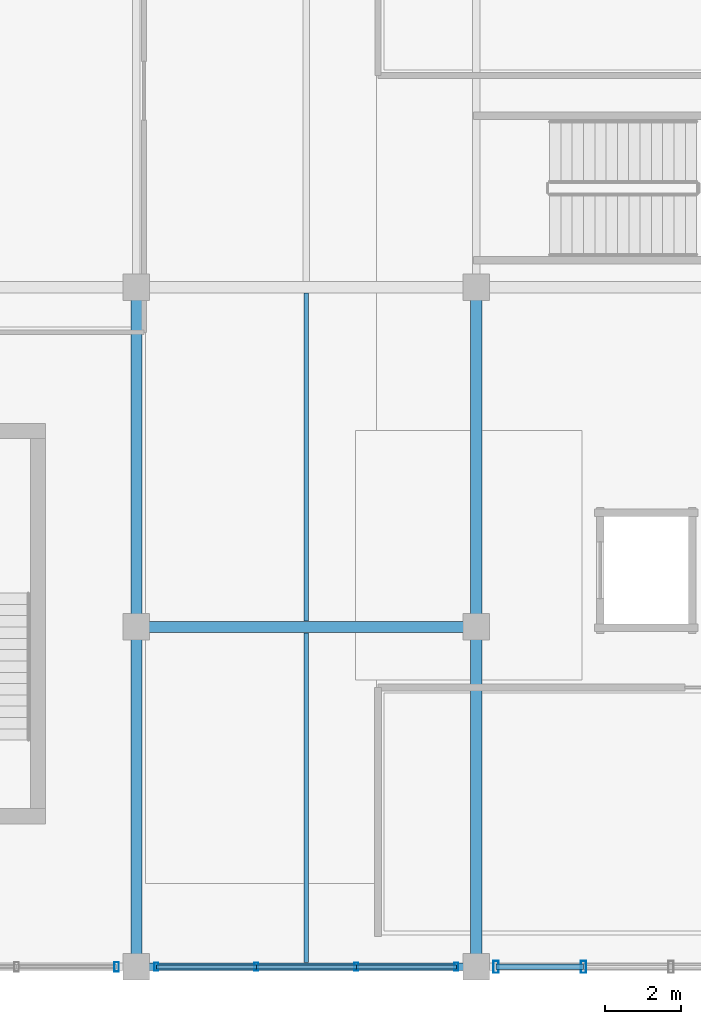
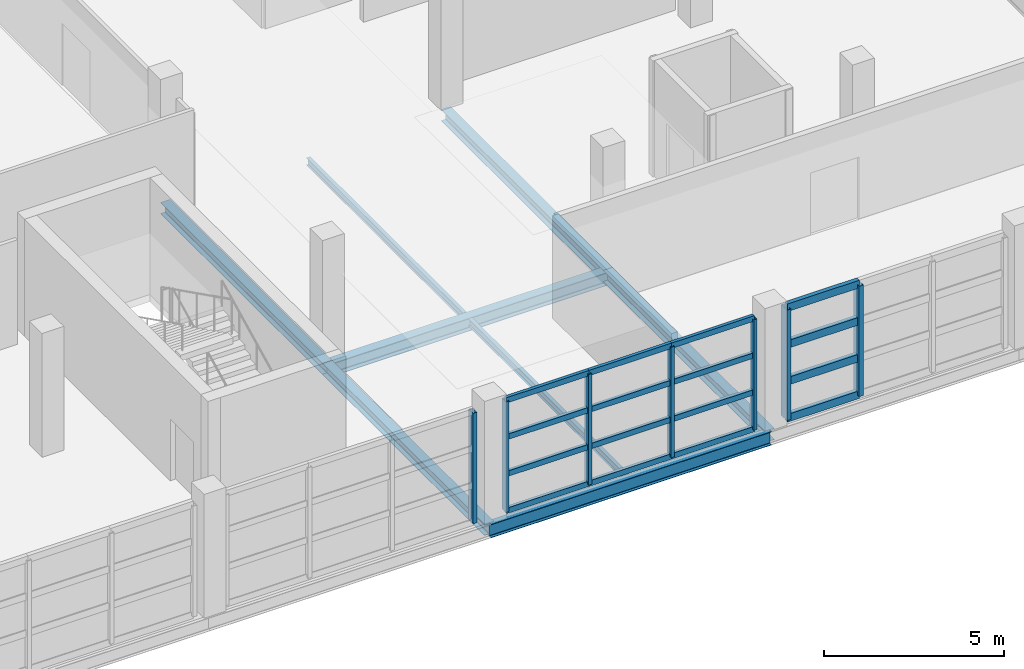
# One storey, part 62 of 136: 23 members, 8 beams, 3 elements without a shape of their own.
"""IFC4 building model written with IfcOpenShell, lengths in metres."""

from ifc_helpers import new_model, si_unit, direction, frame, origin, origin_2d, place, context, subcontext, project, spatial, hollow_rectangle, i_section, extrude, material, material_profile, profile_set, type_object, element, aggregate, save


model = new_model("IFC4")

# Units and contexts
model_context = context("Model", 3, precision=1e-05, world=origin(), true_north=direction((0.0, 1.0)))
body_context = subcontext(model_context, "Body", "Model", "MODEL_VIEW")
ifc_project = project(units=[si_unit("LENGTHUNIT", "METRE"), si_unit("AREAUNIT", "SQUARE_METRE"), si_unit("VOLUMEUNIT", "CUBIC_METRE"), si_unit("PLANEANGLEUNIT", "RADIAN"), si_unit("MASSUNIT", "GRAM", prefix="KILO")], contexts=[model_context])

# Site, building, storey
site_placement = place(None, origin())
site = spatial("IfcSite", under=ifc_project, at=site_placement, CompositionType="ELEMENT")
building_placement = place(site_placement, origin())
building = spatial("IfcBuilding", under=site, at=building_placement, Name="Chuanluo Vaults Station", CompositionType="ELEMENT")
storey_placement = place(building_placement, frame((0.0, 0.0, 6.60009765625)))
storey = spatial("IfcBuildingStorey", under=building, at=storey_placement, Name="L01", CompositionType="ELEMENT", Elevation=6.60009765625)

# Beams
ifc_material_1 = material(Name="Steel Q355C", Category="steel")
ifc_material_profile_1 = material_profile(ifc_material_1, i_section(OverallWidth=0.300048828125, OverallDepth=0.389892578125, WebThickness=0.010009765625, FlangeThickness=0.01611328125, FilletRadius=0.02001953125, at=origin_2d()))
ifc_profile_set_1 = profile_set([ifc_material_profile_1], Name="Steel Q355C")
beam_type_1 = type_object("IfcBeamType", Name="BM-GRD-400", PredefinedType="BEAM", material=ifc_profile_set_1)
for number, where, z_axis, x_axis, name in (
    (1, (163.0, 0.0, -0.43505859375), (0.0, 1.0, 0.0), (-1.0, 0.0, 0.0), "Floor girder BM:GY:L01:0488"),
    (2, (163.0, 9.0, -0.43505859375), (0.0, 1.0, 0.0), (-1.0, 0.0, 0.0), "Floor girder BM:GY:L01:0489"),
    (3, (172.0, 0.0, -0.43505859375), (0.0, 1.0, 0.0), (-1.0, 0.0, 0.0), "Floor girder BM:GY:L01:0500"),
    (4, (172.0, 9.0, -0.43505859375), (0.0, 1.0, 0.0), (-1.0, 0.0, 0.0), "Floor girder BM:GY:L01:0501"),
):
    element("IfcBeam", number, at=place(storey_placement, frame(where, z_axis=z_axis, x_axis=x_axis)), inside=storey, type_object=beam_type_1, Name=name, PredefinedType="BEAM", context=body_context, shape_type="SweptSolid", body=[
        extrude(i_section(OverallWidth=0.300048828125, OverallDepth=0.389892578125, WebThickness=0.010009765625, FlangeThickness=0.01611328125, FilletRadius=0.02001953125, at=origin_2d()), origin(), (0.0, 0.0, 1.0), 9.0),
    ])
ifc_material_2 = material(Name="Steel Q355C", Category="steel")
ifc_material_profile_2 = material_profile(ifc_material_2, i_section(OverallWidth=0.300048828125, OverallDepth=0.43994140625, WebThickness=0.010986328125, FlangeThickness=0.01806640625, FilletRadius=0.02001953125, at=origin_2d()))
ifc_profile_set_2 = profile_set([ifc_material_profile_2], Name="Steel Q355C")
beam_type_2 = type_object("IfcBeamType", Name="BM-GRD-450", PredefinedType="USERDEFINED", material=ifc_profile_set_2)
beam_1_placement = place(storey_placement, frame((163.0, 9.0, -0.460205078125), z_axis=(1.0, 0.0, 0.0), x_axis=(0.0, 1.0, 0.0)))
element("IfcBeam", 5, at=beam_1_placement, inside=storey, type_object=beam_type_2, Name="Floor girder BM:GX:L01:0289", ObjectType="GIRDER", PredefinedType="USERDEFINED", context=body_context, shape_type="SweptSolid", body=[
    extrude(i_section(OverallWidth=0.300048828125, OverallDepth=0.43994140625, WebThickness=0.010986328125, FlangeThickness=0.01806640625, FilletRadius=0.02001953125, at=origin_2d()), origin(), (0.0, 0.0, 1.0), 9.0),
])
ifc_material_3 = material(Name="Steel Q355C", Category="steel")
ifc_material_profile_3 = material_profile(ifc_material_3, i_section(OverallWidth=0.125, OverallDepth=0.25, WebThickness=0.006103515625, FlangeThickness=0.009033203125, FilletRadius=0.011962890625, at=origin_2d()))
ifc_profile_set_3 = profile_set([ifc_material_profile_3], Name="Steel Q355C")
beam_type_3 = type_object("IfcBeamType", Name="BM-SEC-250", PredefinedType="JOIST", material=ifc_profile_set_3)
beam_2_placement = place(storey_placement, frame((167.5, 0.107421875, -0.364990234375), z_axis=(0.0, 1.0, 0.0), x_axis=(-1.0, 0.0, 0.0)))
element("IfcBeam", 6, at=beam_2_placement, inside=storey, type_object=beam_type_3, Name="Composite secondary joist 0176", PredefinedType="JOIST", context=body_context, shape_type="SweptSolid", body=[
    extrude(i_section(OverallWidth=0.125, OverallDepth=0.25, WebThickness=0.006103515625, FlangeThickness=0.009033203125, FilletRadius=0.011962890625, at=origin_2d()), origin(), (0.0, 0.0, 1.0), 8.737548828125),
])
beam_3_placement = place(storey_placement, frame((167.5, 9.155029296875, -0.364990234375), z_axis=(0.0, 1.0, 0.0), x_axis=(-1.0, 0.0, 0.0)))
element("IfcBeam", 7, at=beam_3_placement, inside=storey, type_object=beam_type_3, Name="Composite secondary joist 0177", PredefinedType="JOIST", context=body_context, shape_type="SweptSolid", body=[
    extrude(i_section(OverallWidth=0.125, OverallDepth=0.25, WebThickness=0.006103515625, FlangeThickness=0.009033203125, FilletRadius=0.011962890625, at=origin_2d()), origin(), (0.0, 0.0, 1.0), 8.68994140625),
])
ifc_material_4 = material(Name="Steel Q355C", Category="steel")
ifc_material_profile_4 = material_profile(ifc_material_4, i_section(OverallWidth=0.205078125, OverallDepth=0.4599609375, WebThickness=0.009033203125, FlangeThickness=0.013916015625, FilletRadius=0.01611328125, at=origin_2d()))
ifc_profile_set_4 = profile_set([ifc_material_profile_4], Name="Steel Q355C")
beam_type_4 = type_object("IfcBeamType", Name="BM-SPN-450", PredefinedType="SPANDREL", material=ifc_profile_set_4)
beam_4_placement = place(storey_placement, frame((163.0, 0.0, -0.47021484375), z_axis=(1.0, 0.0, 0.0), x_axis=(0.0, 1.0, 0.0)))
element("IfcBeam", 8, at=beam_4_placement, inside=storey, type_object=beam_type_4, Name="Floor girder BM:GX:L01:0283", PredefinedType="SPANDREL", context=body_context, shape_type="SweptSolid", body=[
    extrude(i_section(OverallWidth=0.205078125, OverallDepth=0.4599609375, WebThickness=0.009033203125, FlangeThickness=0.013916015625, FilletRadius=0.01611328125, at=origin_2d()), origin(), (0.0, 0.0, 1.0), 9.0),
])

# Curtain wall, members
ifc_material_5 = material(Name="Anodised aluminium 6063-T6", Category="aluminium")
curtain_wall_type_1 = type_object("IfcCurtainWallType", Name="CW-SYS-12", PredefinedType="NOTDEFINED", material=ifc_material_5)
curtain_wall_1_placement = place(storey_placement, origin())
curtain_wall_1 = element("IfcCurtainWall", 9, at=curtain_wall_1_placement, inside=storey, type_object=curtain_wall_type_1, Name="Retail pavilion L01 facade CW", PredefinedType="NOTDEFINED")
ifc_material_6 = material(Name="Anodised aluminium 6063-T6", Category="aluminium")
ifc_material_profile_5 = material_profile(ifc_material_6, hollow_rectangle(XDim=0.10498046875, YDim=0.219970703125, WallThickness=0.006103515625, at=origin_2d()))
ifc_profile_set_5 = profile_set([ifc_material_profile_5], Name="Anodised aluminium 6063-T6")
member_type_1 = type_object("IfcMemberType", Name="CWM-140", PredefinedType="MULLION", material=ifc_profile_set_5)
member_1_placement = place(storey_placement, frame((171.47509765625, 0.0, 0.0), z_axis=(0.0, 0.0, 1.0), x_axis=(-1.0, 0.0, 0.0)))
member_1 = element("IfcMember", 10, at=member_1_placement, type_object=member_type_1, Name="Retail pavilion L01 facade CW mullion 1", PredefinedType="MULLION", context=body_context, shape_type="SweptSolid", body=[
    extrude(hollow_rectangle(XDim=0.10498046875, YDim=0.219970703125, WallThickness=0.006103515625, at=origin_2d()), origin(), (0.0, 0.0, 1.0), 3.75),
])
member_2_placement = place(storey_placement, frame((168.824951171875, 0.0, 0.0), z_axis=(0.0, 0.0, 1.0), x_axis=(-1.0, 0.0, 0.0)))
member_2 = element("IfcMember", 11, at=member_2_placement, type_object=member_type_1, Name="Retail pavilion L01 facade CW mullion 2", PredefinedType="MULLION", context=body_context, shape_type="SweptSolid", body=[
    extrude(hollow_rectangle(XDim=0.10498046875, YDim=0.219970703125, WallThickness=0.006103515625, at=origin_2d()), origin(), (0.0, 0.0, 1.0), 3.75),
])
member_3_placement = place(storey_placement, frame((166.175048828125, 0.0, 0.0), z_axis=(0.0, 0.0, 1.0), x_axis=(-1.0, 0.0, 0.0)))
member_3 = element("IfcMember", 12, at=member_3_placement, type_object=member_type_1, Name="Retail pavilion L01 facade CW mullion 3", PredefinedType="MULLION", context=body_context, shape_type="SweptSolid", body=[
    extrude(hollow_rectangle(XDim=0.10498046875, YDim=0.219970703125, WallThickness=0.006103515625, at=origin_2d()), origin(), (0.0, 0.0, 1.0), 3.75),
])
member_4_placement = place(storey_placement, frame((163.52490234375, 0.0, 0.0), z_axis=(0.0, 0.0, 1.0), x_axis=(-1.0, 0.0, 0.0)))
member_4 = element("IfcMember", 13, at=member_4_placement, type_object=member_type_1, Name="Retail pavilion L01 facade CW mullion 4", PredefinedType="MULLION", context=body_context, shape_type="SweptSolid", body=[
    extrude(hollow_rectangle(XDim=0.10498046875, YDim=0.219970703125, WallThickness=0.006103515625, at=origin_2d()), origin(), (0.0, 0.0, 1.0), 3.75),
])

# Curtain wall, member
ifc_material_7 = material(Name="Anodised aluminium 6063-T6", Category="aluminium")
curtain_wall_type_2 = type_object("IfcCurtainWallType", Name="CW-SYS-11", PredefinedType="NOTDEFINED", material=ifc_material_7)
curtain_wall_2_placement = place(storey_placement, origin())
curtain_wall_2 = element("IfcCurtainWall", 14, at=curtain_wall_2_placement, inside=storey, type_object=curtain_wall_type_2, Name="Retail pavilion L01 facade CW", PredefinedType="NOTDEFINED")
ifc_material_8 = material(Name="Anodised aluminium 6063-T6", Category="aluminium")
ifc_material_profile_6 = material_profile(ifc_material_8, hollow_rectangle(XDim=0.1201171875, YDim=0.25, WallThickness=0.006103515625, at=origin_2d()))
ifc_profile_set_6 = profile_set([ifc_material_profile_6], Name="Anodised aluminium 6063-T6")
member_type_2 = type_object("IfcMemberType", Name="CWM-160", PredefinedType="MULLION", material=ifc_profile_set_6)
member_5_placement = place(storey_placement, frame((162.47509765625, 0.0, 0.0), z_axis=(0.0, 0.0, 1.0), x_axis=(-1.0, 0.0, 0.0)))
member_5 = element("IfcMember", 15, at=member_5_placement, type_object=member_type_2, Name="Retail pavilion L01 facade CW mullion 1", PredefinedType="MULLION", context=body_context, shape_type="SweptSolid", body=[
    extrude(hollow_rectangle(XDim=0.1201171875, YDim=0.25, WallThickness=0.006103515625, at=origin_2d()), origin(), (0.0, 0.0, 1.0), 3.75),
])
aggregate(curtain_wall_2, [member_5])

# Curtain wall, members
ifc_material_9 = material(Name="Anodised aluminium 6063-T6", Category="aluminium")
curtain_wall_type_3 = type_object("IfcCurtainWallType", Name="CW-SYS-13", PredefinedType="NOTDEFINED", material=ifc_material_9)
curtain_wall_3_placement = place(storey_placement, origin())
curtain_wall_3 = element("IfcCurtainWall", 16, at=curtain_wall_3_placement, inside=storey, type_object=curtain_wall_type_3, Name="Retail pavilion L01 facade CW", PredefinedType="NOTDEFINED")
ifc_material_10 = material(Name="Anodised aluminium 6063-T6", Category="aluminium")
ifc_material_profile_7 = material_profile(ifc_material_10, hollow_rectangle(XDim=0.139892578125, YDim=0.320068359375, WallThickness=0.008056640625, at=origin_2d()))
ifc_profile_set_7 = profile_set([ifc_material_profile_7], Name="Anodised aluminium 6063-T6")
member_type_3 = type_object("IfcMemberType", Name="CWM-220", PredefinedType="MULLION", material=ifc_profile_set_7)
member_6_placement = place(storey_placement, frame((174.841796875, 0.0, 0.0), z_axis=(0.0, 0.0, 1.0), x_axis=(-1.0, 0.0, 0.0)))
member_6 = element("IfcMember", 17, at=member_6_placement, type_object=member_type_3, Name="Retail pavilion L01 facade CW mullion 3", PredefinedType="MULLION", context=body_context, shape_type="SweptSolid", body=[
    extrude(hollow_rectangle(XDim=0.139892578125, YDim=0.320068359375, WallThickness=0.008056640625, at=origin_2d()), origin(), (0.0, 0.0, 1.0), 3.75),
])
member_7_placement = place(storey_placement, frame((172.52490234375, 0.0, 0.0), z_axis=(0.0, 0.0, 1.0), x_axis=(-1.0, 0.0, 0.0)))
member_7 = element("IfcMember", 18, at=member_7_placement, type_object=member_type_3, Name="Retail pavilion L01 facade CW mullion 4", PredefinedType="MULLION", context=body_context, shape_type="SweptSolid", body=[
    extrude(hollow_rectangle(XDim=0.139892578125, YDim=0.320068359375, WallThickness=0.008056640625, at=origin_2d()), origin(), (0.0, 0.0, 1.0), 3.75),
])

# Member
ifc_material_11 = material(Name="Anodised aluminium 6063-T6", Category="aluminium")
ifc_material_profile_8 = material_profile(ifc_material_11, hollow_rectangle(XDim=0.10498046875, YDim=0.18505859375, WallThickness=0.0048828125, at=origin_2d()))
ifc_profile_set_8 = profile_set([ifc_material_profile_8], Name="Anodised aluminium 6063-T6")
member_type_4 = type_object("IfcMemberType", Name="CWT-110", PredefinedType="USERDEFINED", material=ifc_profile_set_8)
member_8_placement = place(storey_placement, frame((171.47509765625, 0.0, 0.0), z_axis=(-1.0, 0.0, 0.0), x_axis=(0.0, -1.0, 0.0)))
member_8 = element("IfcMember", 19, at=member_8_placement, type_object=member_type_4, Name="Retail pavilion L01 facade CW transom 1.1", ObjectType="TRANSOM", PredefinedType="USERDEFINED", context=body_context, shape_type="SweptSolid", body=[
    extrude(hollow_rectangle(XDim=0.10498046875, YDim=0.18505859375, WallThickness=0.0048828125, at=origin_2d()), origin(), (0.0, 0.0, 1.0), 2.650146484375),
])

member_9_placement = place(storey_placement, frame((171.47509765625, 0.0, 1.25), z_axis=(-1.0, 0.0, 0.0), x_axis=(0.0, -1.0, 0.0)))
member_9 = element("IfcMember", 20, at=member_9_placement, type_object=member_type_4, Name="Retail pavilion L01 facade CW transom 1.2", ObjectType="TRANSOM", PredefinedType="USERDEFINED", context=body_context, shape_type="SweptSolid", body=[
    extrude(hollow_rectangle(XDim=0.10498046875, YDim=0.18505859375, WallThickness=0.0048828125, at=origin_2d()), origin(), (0.0, 0.0, 1.0), 2.650146484375),
])

member_10_placement = place(storey_placement, frame((171.47509765625, 0.0, 2.5), z_axis=(-1.0, 0.0, 0.0), x_axis=(0.0, -1.0, 0.0)))
member_10 = element("IfcMember", 21, at=member_10_placement, type_object=member_type_4, Name="Retail pavilion L01 facade CW transom 1.3", ObjectType="TRANSOM", PredefinedType="USERDEFINED", context=body_context, shape_type="SweptSolid", body=[
    extrude(hollow_rectangle(XDim=0.10498046875, YDim=0.18505859375, WallThickness=0.0048828125, at=origin_2d()), origin(), (0.0, 0.0, 1.0), 2.650146484375),
])

member_11_placement = place(storey_placement, frame((171.47509765625, 0.0, 3.75), z_axis=(-1.0, 0.0, 0.0), x_axis=(0.0, -1.0, 0.0)))
member_11 = element("IfcMember", 22, at=member_11_placement, type_object=member_type_4, Name="Retail pavilion L01 facade CW transom 1.4", ObjectType="TRANSOM", PredefinedType="USERDEFINED", context=body_context, shape_type="SweptSolid", body=[
    extrude(hollow_rectangle(XDim=0.10498046875, YDim=0.18505859375, WallThickness=0.0048828125, at=origin_2d()), origin(), (0.0, 0.0, 1.0), 2.650146484375),
])

member_12_placement = place(storey_placement, frame((168.824951171875, 0.0, 0.0), z_axis=(-1.0, 0.0, 0.0), x_axis=(0.0, -1.0, 0.0)))
member_12 = element("IfcMember", 23, at=member_12_placement, type_object=member_type_4, Name="Retail pavilion L01 facade CW transom 2.1", ObjectType="TRANSOM", PredefinedType="USERDEFINED", context=body_context, shape_type="SweptSolid", body=[
    extrude(hollow_rectangle(XDim=0.10498046875, YDim=0.18505859375, WallThickness=0.0048828125, at=origin_2d()), origin(), (0.0, 0.0, 1.0), 2.64990234375),
])

member_13_placement = place(storey_placement, frame((168.824951171875, 0.0, 1.25), z_axis=(-1.0, 0.0, 0.0), x_axis=(0.0, -1.0, 0.0)))
member_13 = element("IfcMember", 24, at=member_13_placement, type_object=member_type_4, Name="Retail pavilion L01 facade CW transom 2.2", ObjectType="TRANSOM", PredefinedType="USERDEFINED", context=body_context, shape_type="SweptSolid", body=[
    extrude(hollow_rectangle(XDim=0.10498046875, YDim=0.18505859375, WallThickness=0.0048828125, at=origin_2d()), origin(), (0.0, 0.0, 1.0), 2.64990234375),
])

member_14_placement = place(storey_placement, frame((168.824951171875, 0.0, 2.5), z_axis=(-1.0, 0.0, 0.0), x_axis=(0.0, -1.0, 0.0)))
member_14 = element("IfcMember", 25, at=member_14_placement, type_object=member_type_4, Name="Retail pavilion L01 facade CW transom 2.3", ObjectType="TRANSOM", PredefinedType="USERDEFINED", context=body_context, shape_type="SweptSolid", body=[
    extrude(hollow_rectangle(XDim=0.10498046875, YDim=0.18505859375, WallThickness=0.0048828125, at=origin_2d()), origin(), (0.0, 0.0, 1.0), 2.64990234375),
])

member_15_placement = place(storey_placement, frame((168.824951171875, 0.0, 3.75), z_axis=(-1.0, 0.0, 0.0), x_axis=(0.0, -1.0, 0.0)))
member_15 = element("IfcMember", 26, at=member_15_placement, type_object=member_type_4, Name="Retail pavilion L01 facade CW transom 2.4", ObjectType="TRANSOM", PredefinedType="USERDEFINED", context=body_context, shape_type="SweptSolid", body=[
    extrude(hollow_rectangle(XDim=0.10498046875, YDim=0.18505859375, WallThickness=0.0048828125, at=origin_2d()), origin(), (0.0, 0.0, 1.0), 2.64990234375),
])

member_16_placement = place(storey_placement, frame((166.175048828125, 0.0, 0.0), z_axis=(-1.0, 0.0, 0.0), x_axis=(0.0, -1.0, 0.0)))
member_16 = element("IfcMember", 27, at=member_16_placement, type_object=member_type_4, Name="Retail pavilion L01 facade CW transom 3.1", ObjectType="TRANSOM", PredefinedType="USERDEFINED", context=body_context, shape_type="SweptSolid", body=[
    extrude(hollow_rectangle(XDim=0.10498046875, YDim=0.18505859375, WallThickness=0.0048828125, at=origin_2d()), origin(), (0.0, 0.0, 1.0), 2.650146484375),
])

member_17_placement = place(storey_placement, frame((166.175048828125, 0.0, 1.25), z_axis=(-1.0, 0.0, 0.0), x_axis=(0.0, -1.0, 0.0)))
member_17 = element("IfcMember", 28, at=member_17_placement, type_object=member_type_4, Name="Retail pavilion L01 facade CW transom 3.2", ObjectType="TRANSOM", PredefinedType="USERDEFINED", context=body_context, shape_type="SweptSolid", body=[
    extrude(hollow_rectangle(XDim=0.10498046875, YDim=0.18505859375, WallThickness=0.0048828125, at=origin_2d()), origin(), (0.0, 0.0, 1.0), 2.650146484375),
])

member_18_placement = place(storey_placement, frame((166.175048828125, 0.0, 2.5), z_axis=(-1.0, 0.0, 0.0), x_axis=(0.0, -1.0, 0.0)))
member_18 = element("IfcMember", 29, at=member_18_placement, type_object=member_type_4, Name="Retail pavilion L01 facade CW transom 3.3", ObjectType="TRANSOM", PredefinedType="USERDEFINED", context=body_context, shape_type="SweptSolid", body=[
    extrude(hollow_rectangle(XDim=0.10498046875, YDim=0.18505859375, WallThickness=0.0048828125, at=origin_2d()), origin(), (0.0, 0.0, 1.0), 2.650146484375),
])

member_19_placement = place(storey_placement, frame((166.175048828125, 0.0, 3.75), z_axis=(-1.0, 0.0, 0.0), x_axis=(0.0, -1.0, 0.0)))
member_19 = element("IfcMember", 30, at=member_19_placement, type_object=member_type_4, Name="Retail pavilion L01 facade CW transom 3.4", ObjectType="TRANSOM", PredefinedType="USERDEFINED", context=body_context, shape_type="SweptSolid", body=[
    extrude(hollow_rectangle(XDim=0.10498046875, YDim=0.18505859375, WallThickness=0.0048828125, at=origin_2d()), origin(), (0.0, 0.0, 1.0), 2.650146484375),
])

aggregate(curtain_wall_1, [member_1, member_2, member_3, member_4, member_8, member_9, member_10, member_11, member_12, member_13, member_14, member_15, member_16, member_17, member_18, member_19])

ifc_material_12 = material(Name="Anodised aluminium 6063-T6", Category="aluminium")
ifc_material_profile_9 = material_profile(ifc_material_12, hollow_rectangle(XDim=0.139892578125, YDim=0.260009765625, WallThickness=0.007080078125, at=origin_2d()))
ifc_profile_set_9 = profile_set([ifc_material_profile_9], Name="Anodised aluminium 6063-T6")
member_type_5 = type_object("IfcMemberType", Name="CWT-180", PredefinedType="USERDEFINED", material=ifc_profile_set_9)
member_20_placement = place(storey_placement, frame((174.841796875, 0.0, 0.0), z_axis=(-1.0, 0.0, 0.0), x_axis=(0.0, -1.0, 0.0)))
member_20 = element("IfcMember", 31, at=member_20_placement, type_object=member_type_5, Name="Retail pavilion L01 facade CW transom 3.1", ObjectType="TRANSOM", PredefinedType="USERDEFINED", context=body_context, shape_type="SweptSolid", body=[
    extrude(hollow_rectangle(XDim=0.139892578125, YDim=0.260009765625, WallThickness=0.007080078125, at=origin_2d()), origin(), (0.0, 0.0, 1.0), 2.31689453125),
])

member_21_placement = place(storey_placement, frame((174.841796875, 0.0, 1.25), z_axis=(-1.0, 0.0, 0.0), x_axis=(0.0, -1.0, 0.0)))
member_21 = element("IfcMember", 32, at=member_21_placement, type_object=member_type_5, Name="Retail pavilion L01 facade CW transom 3.2", ObjectType="TRANSOM", PredefinedType="USERDEFINED", context=body_context, shape_type="SweptSolid", body=[
    extrude(hollow_rectangle(XDim=0.139892578125, YDim=0.260009765625, WallThickness=0.007080078125, at=origin_2d()), origin(), (0.0, 0.0, 1.0), 2.31689453125),
])

member_22_placement = place(storey_placement, frame((174.841796875, 0.0, 2.5), z_axis=(-1.0, 0.0, 0.0), x_axis=(0.0, -1.0, 0.0)))
member_22 = element("IfcMember", 33, at=member_22_placement, type_object=member_type_5, Name="Retail pavilion L01 facade CW transom 3.3", ObjectType="TRANSOM", PredefinedType="USERDEFINED", context=body_context, shape_type="SweptSolid", body=[
    extrude(hollow_rectangle(XDim=0.139892578125, YDim=0.260009765625, WallThickness=0.007080078125, at=origin_2d()), origin(), (0.0, 0.0, 1.0), 2.31689453125),
])

member_23_placement = place(storey_placement, frame((174.841796875, 0.0, 3.75), z_axis=(-1.0, 0.0, 0.0), x_axis=(0.0, -1.0, 0.0)))
member_23 = element("IfcMember", 34, at=member_23_placement, type_object=member_type_5, Name="Retail pavilion L01 facade CW transom 3.4", ObjectType="TRANSOM", PredefinedType="USERDEFINED", context=body_context, shape_type="SweptSolid", body=[
    extrude(hollow_rectangle(XDim=0.139892578125, YDim=0.260009765625, WallThickness=0.007080078125, at=origin_2d()), origin(), (0.0, 0.0, 1.0), 2.31689453125),
])

aggregate(curtain_wall_3, [member_6, member_7, member_20, member_21, member_22, member_23])

save(model, "model.ifc")
